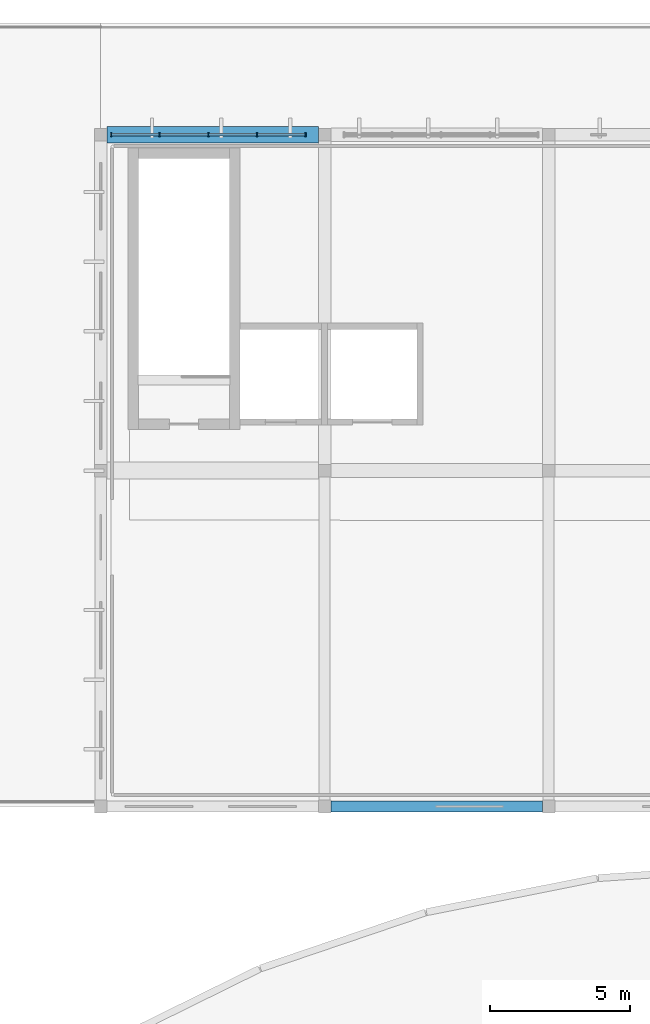
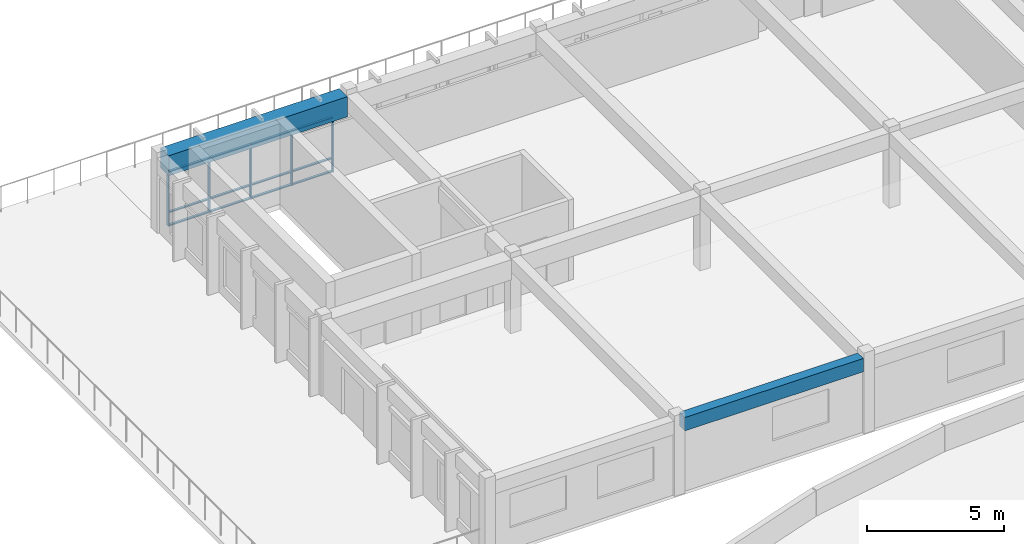
# One storey, part 18 of 77: 17 members, 2 beams, 1 element without a shape of its own.
"""IFC4 building model written with IfcOpenShell, lengths in metres."""

from ifc_helpers import new_model, si_unit, direction, frame, origin, origin_2d, place, context, subcontext, project, spatial, rectangle, extrude, material, material_profile, profile_set, type_object, element, aggregate, save


model = new_model("IFC4")

# Units and contexts
model_context = context("Model", 3, precision=1e-05, world=origin(), true_north=direction((0.0, 1.0)))
body_context = subcontext(model_context, "Body", "Model", "MODEL_VIEW")
ifc_project = project(units=[si_unit("LENGTHUNIT", "METRE"), si_unit("AREAUNIT", "SQUARE_METRE"), si_unit("VOLUMEUNIT", "CUBIC_METRE"), si_unit("PLANEANGLEUNIT", "RADIAN"), si_unit("MASSUNIT", "GRAM", prefix="KILO")], contexts=[model_context])

# Site, building, storey
site_placement = place(None, origin())
site = spatial("IfcSite", under=ifc_project, at=site_placement, CompositionType="ELEMENT")
building_placement = place(site_placement, origin())
building = spatial("IfcBuilding", under=site, at=building_placement, Name="Larkveld Mobility Hub", CompositionType="ELEMENT")
storey_placement = place(building_placement, frame((0.0, 0.0, 12.0)))
storey = spatial("IfcBuildingStorey", under=building, at=storey_placement, Name="L03", CompositionType="ELEMENT", Elevation=12.0)

# Beams
ifc_material_1 = material(Name="Concrete C40/50", Category="concrete")
ifc_material_profile_1 = material_profile(ifc_material_1, rectangle(XDim=0.39990234375, YDim=0.60009765625, at=origin_2d()), Name="RC BM 400x600")
ifc_profile_set_1 = profile_set([ifc_material_profile_1], Name="Concrete C40/50")
beam_type_1 = type_object("IfcBeamType", Name="BM-RC4060", PredefinedType="BEAM", material=ifc_profile_set_1)
beam_1_placement = place(storey_placement, frame((32.22509765625, 98.0, 3.06005859375), z_axis=(1.0, 0.0, 0.0), x_axis=(0.0, 1.0, 0.0)))
element("IfcBeam", 1, at=beam_1_placement, inside=storey, type_object=beam_type_1, Name="Primary E-W Girder L03-0745", PredefinedType="BEAM", context=body_context, shape_type="SweptSolid", body=[
    extrude(rectangle(XDim=0.39990234375, YDim=0.60009765625, at=origin_2d()), origin(), (0.0, 0.0, 1.0), 7.5498046875),
])
ifc_material_profile_2 = material_profile(ifc_material_1, rectangle(XDim=0.60009765625, YDim=0.89990234375, at=origin_2d()), Name="RC BM 600x900")
ifc_profile_set_2 = profile_set([ifc_material_profile_2], Name="Concrete C40/50")
beam_type_2 = type_object("IfcBeamType", Name="BM-RC6090", PredefinedType="BEAM", material=ifc_profile_set_2)
beam_2_placement = place(storey_placement, frame((24.22509765625, 122.0, 2.909912109375), z_axis=(1.0, 0.0, 0.0), x_axis=(0.0, 1.0, 0.0)))
element("IfcBeam", 2, at=beam_2_placement, inside=storey, type_object=beam_type_2, Name="Primary E-W Girder L03-0763", PredefinedType="BEAM", context=body_context, shape_type="SweptSolid", body=[
    extrude(rectangle(XDim=0.60009765625, YDim=0.89990234375, at=origin_2d()), origin(), (0.0, 0.0, 1.0), 7.5498046875),
])

# Curtain wall, members
ifc_material_2 = material(Name="Anodised aluminium 6063-T6", Category="aluminium")
curtain_wall_type = type_object("IfcCurtainWallType", Name="CW-SYS-04", PredefinedType="NOTDEFINED", material=ifc_material_2)
curtain_wall_placement = place(storey_placement, origin())
curtain_wall = element("IfcCurtainWall", 3, at=curtain_wall_placement, inside=storey, type_object=curtain_wall_type, Name="Bicycle Hall North Curtain Wall L03 CW-088", PredefinedType="NOTDEFINED")
ifc_material_profile_3 = material_profile(ifc_material_2, rectangle(XDim=0.050048828125, YDim=0.1298828125, at=origin_2d()), Name="ALU MULL 50x130")
ifc_profile_set_3 = profile_set([ifc_material_profile_3], Name="Anodised aluminium 6063-T6")
member_type_1 = type_object("IfcMemberType", Name="CW-MUL-04", PredefinedType="MULLION", material=ifc_profile_set_3)
member_1_placement = place(storey_placement, frame((31.31005859375, 122.0, -0.001953125), z_axis=(0.0, 0.0, 1.0), x_axis=(-1.0, 0.0, 0.0)))
member_1 = element("IfcMember", 4, at=member_1_placement, type_object=member_type_1, Name="CW04 mullion 1", PredefinedType="MULLION", context=body_context, shape_type="SweptSolid", body=[
    extrude(rectangle(XDim=0.050048828125, YDim=0.1298828125, at=origin_2d()), origin(), (0.0, 0.0, 1.0), 2.4619140625),
])
member_2_placement = place(storey_placement, frame((29.589111328125, 122.0, -0.001953125), z_axis=(0.0, 0.0, 1.0), x_axis=(-1.0, 0.0, 0.0)))
member_2 = element("IfcMember", 5, at=member_2_placement, type_object=member_type_1, Name="CW04 mullion 2", PredefinedType="MULLION", context=body_context, shape_type="SweptSolid", body=[
    extrude(rectangle(XDim=0.050048828125, YDim=0.1298828125, at=origin_2d()), origin(), (0.0, 0.0, 1.0), 2.4619140625),
])
member_3_placement = place(storey_placement, frame((27.843017578125, 122.0, -0.001953125), z_axis=(0.0, 0.0, 1.0), x_axis=(-1.0, 0.0, 0.0)))
member_3 = element("IfcMember", 6, at=member_3_placement, type_object=member_type_1, Name="CW04 mullion 3", PredefinedType="MULLION", context=body_context, shape_type="SweptSolid", body=[
    extrude(rectangle(XDim=0.050048828125, YDim=0.1298828125, at=origin_2d()), origin(), (0.0, 0.0, 1.0), 2.4619140625),
])
member_4_placement = place(storey_placement, frame((26.095947265625, 122.0, -0.001953125), z_axis=(0.0, 0.0, 1.0), x_axis=(-1.0, 0.0, 0.0)))
member_4 = element("IfcMember", 7, at=member_4_placement, type_object=member_type_1, Name="CW04 mullion 4", PredefinedType="MULLION", context=body_context, shape_type="SweptSolid", body=[
    extrude(rectangle(XDim=0.050048828125, YDim=0.1298828125, at=origin_2d()), origin(), (0.0, 0.0, 1.0), 2.4619140625),
])
member_5_placement = place(storey_placement, frame((24.375, 122.0, -0.001953125), z_axis=(0.0, 0.0, 1.0), x_axis=(-1.0, 0.0, 0.0)))
member_5 = element("IfcMember", 8, at=member_5_placement, type_object=member_type_1, Name="CW04 mullion 5", PredefinedType="MULLION", context=body_context, shape_type="SweptSolid", body=[
    extrude(rectangle(XDim=0.050048828125, YDim=0.1298828125, at=origin_2d()), origin(), (0.0, 0.0, 1.0), 2.4619140625),
])
ifc_material_profile_4 = material_profile(ifc_material_2, rectangle(XDim=0.10009765625, YDim=0.050048828125, at=origin_2d()), Name="ALU TRAN 50x100")
ifc_profile_set_4 = profile_set([ifc_material_profile_4], Name="Anodised aluminium 6063-T6")
member_type_2 = type_object("IfcMemberType", Name="CW-TRN-04", PredefinedType="USERDEFINED", material=ifc_profile_set_4)
member_6_placement = place(storey_placement, frame((31.300048828125, 122.0, 0.030029296875), z_axis=(-1.0, 0.0, 0.0), x_axis=(0.0, -1.0, 0.0)))
member_6 = element("IfcMember", 9, at=member_6_placement, type_object=member_type_2, Name="CW04 transom 1.1", ObjectType="TRANSOM", PredefinedType="USERDEFINED", context=body_context, shape_type="SweptSolid", body=[
    extrude(rectangle(XDim=0.10009765625, YDim=0.050048828125, at=origin_2d()), origin(), (0.0, 0.0, 1.0), 1.696044921875),
])
member_7_placement = place(storey_placement, frame((31.300048828125, 122.0, 0.614013671875), z_axis=(-1.0, 0.0, 0.0), x_axis=(0.0, -1.0, 0.0)))
member_7 = element("IfcMember", 10, at=member_7_placement, type_object=member_type_2, Name="CW04 transom 1.2", ObjectType="TRANSOM", PredefinedType="USERDEFINED", context=body_context, shape_type="SweptSolid", body=[
    extrude(rectangle(XDim=0.10009765625, YDim=0.050048828125, at=origin_2d()), origin(), (0.0, 0.0, 1.0), 1.696044921875),
])
member_8_placement = place(storey_placement, frame((31.300048828125, 122.0, 2.427978515625), z_axis=(-1.0, 0.0, 0.0), x_axis=(0.0, -1.0, 0.0)))
member_8 = element("IfcMember", 11, at=member_8_placement, type_object=member_type_2, Name="CW04 transom 1.3", ObjectType="TRANSOM", PredefinedType="USERDEFINED", context=body_context, shape_type="SweptSolid", body=[
    extrude(rectangle(XDim=0.10009765625, YDim=0.050048828125, at=origin_2d()), origin(), (0.0, 0.0, 1.0), 1.696044921875),
])
member_9_placement = place(storey_placement, frame((29.573974609375, 122.0, 0.030029296875), z_axis=(-1.0, 0.0, 0.0), x_axis=(0.0, -1.0, 0.0)))
member_9 = element("IfcMember", 12, at=member_9_placement, type_object=member_type_2, Name="CW04 transom 2.1", ObjectType="TRANSOM", PredefinedType="USERDEFINED", context=body_context, shape_type="SweptSolid", body=[
    extrude(rectangle(XDim=0.10009765625, YDim=0.050048828125, at=origin_2d()), origin(), (0.0, 0.0, 1.0), 1.716064453125),
])
member_10_placement = place(storey_placement, frame((29.573974609375, 122.0, 0.614013671875), z_axis=(-1.0, 0.0, 0.0), x_axis=(0.0, -1.0, 0.0)))
member_10 = element("IfcMember", 13, at=member_10_placement, type_object=member_type_2, Name="CW04 transom 2.2", ObjectType="TRANSOM", PredefinedType="USERDEFINED", context=body_context, shape_type="SweptSolid", body=[
    extrude(rectangle(XDim=0.10009765625, YDim=0.050048828125, at=origin_2d()), origin(), (0.0, 0.0, 1.0), 1.716064453125),
])
member_11_placement = place(storey_placement, frame((29.573974609375, 122.0, 2.427978515625), z_axis=(-1.0, 0.0, 0.0), x_axis=(0.0, -1.0, 0.0)))
member_11 = element("IfcMember", 14, at=member_11_placement, type_object=member_type_2, Name="CW04 transom 2.3", ObjectType="TRANSOM", PredefinedType="USERDEFINED", context=body_context, shape_type="SweptSolid", body=[
    extrude(rectangle(XDim=0.10009765625, YDim=0.050048828125, at=origin_2d()), origin(), (0.0, 0.0, 1.0), 1.716064453125),
])
member_12_placement = place(storey_placement, frame((27.827880859375, 122.0, 0.030029296875), z_axis=(-1.0, 0.0, 0.0), x_axis=(0.0, -1.0, 0.0)))
member_12 = element("IfcMember", 15, at=member_12_placement, type_object=member_type_2, Name="CW04 transom 3.1", ObjectType="TRANSOM", PredefinedType="USERDEFINED", context=body_context, shape_type="SweptSolid", body=[
    extrude(rectangle(XDim=0.10009765625, YDim=0.050048828125, at=origin_2d()), origin(), (0.0, 0.0, 1.0), 1.716796875),
])
member_13_placement = place(storey_placement, frame((27.827880859375, 122.0, 0.614013671875), z_axis=(-1.0, 0.0, 0.0), x_axis=(0.0, -1.0, 0.0)))
member_13 = element("IfcMember", 16, at=member_13_placement, type_object=member_type_2, Name="CW04 transom 3.2", ObjectType="TRANSOM", PredefinedType="USERDEFINED", context=body_context, shape_type="SweptSolid", body=[
    extrude(rectangle(XDim=0.10009765625, YDim=0.050048828125, at=origin_2d()), origin(), (0.0, 0.0, 1.0), 1.716796875),
])
member_14_placement = place(storey_placement, frame((27.827880859375, 122.0, 2.427978515625), z_axis=(-1.0, 0.0, 0.0), x_axis=(0.0, -1.0, 0.0)))
member_14 = element("IfcMember", 17, at=member_14_placement, type_object=member_type_2, Name="CW04 transom 3.3", ObjectType="TRANSOM", PredefinedType="USERDEFINED", context=body_context, shape_type="SweptSolid", body=[
    extrude(rectangle(XDim=0.10009765625, YDim=0.050048828125, at=origin_2d()), origin(), (0.0, 0.0, 1.0), 1.716796875),
])
member_15_placement = place(storey_placement, frame((26.0810546875, 122.0, 0.030029296875), z_axis=(-1.0, 0.0, 0.0), x_axis=(0.0, -1.0, 0.0)))
member_15 = element("IfcMember", 18, at=member_15_placement, type_object=member_type_2, Name="CW04 transom 4.1", ObjectType="TRANSOM", PredefinedType="USERDEFINED", context=body_context, shape_type="SweptSolid", body=[
    extrude(rectangle(XDim=0.10009765625, YDim=0.050048828125, at=origin_2d()), origin(), (0.0, 0.0, 1.0), 1.696044921875),
])
member_16_placement = place(storey_placement, frame((26.0810546875, 122.0, 0.614013671875), z_axis=(-1.0, 0.0, 0.0), x_axis=(0.0, -1.0, 0.0)))
member_16 = element("IfcMember", 19, at=member_16_placement, type_object=member_type_2, Name="CW04 transom 4.2", ObjectType="TRANSOM", PredefinedType="USERDEFINED", context=body_context, shape_type="SweptSolid", body=[
    extrude(rectangle(XDim=0.10009765625, YDim=0.050048828125, at=origin_2d()), origin(), (0.0, 0.0, 1.0), 1.696044921875),
])
member_17_placement = place(storey_placement, frame((26.0810546875, 122.0, 2.427978515625), z_axis=(-1.0, 0.0, 0.0), x_axis=(0.0, -1.0, 0.0)))
member_17 = element("IfcMember", 20, at=member_17_placement, type_object=member_type_2, Name="CW04 transom 4.3", ObjectType="TRANSOM", PredefinedType="USERDEFINED", context=body_context, shape_type="SweptSolid", body=[
    extrude(rectangle(XDim=0.10009765625, YDim=0.050048828125, at=origin_2d()), origin(), (0.0, 0.0, 1.0), 1.696044921875),
])
aggregate(curtain_wall, [member_1, member_2, member_3, member_4, member_5, member_6, member_7, member_8, member_9, member_10, member_11, member_12, member_13, member_14, member_15, member_16, member_17])

save(model, "model.ifc")
